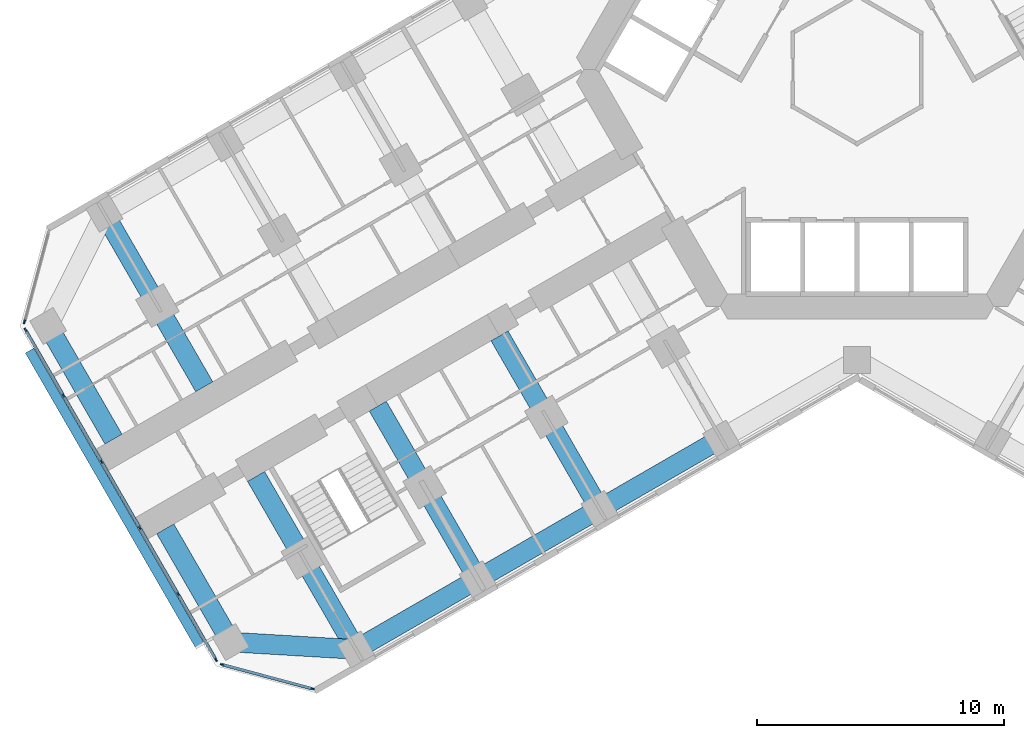
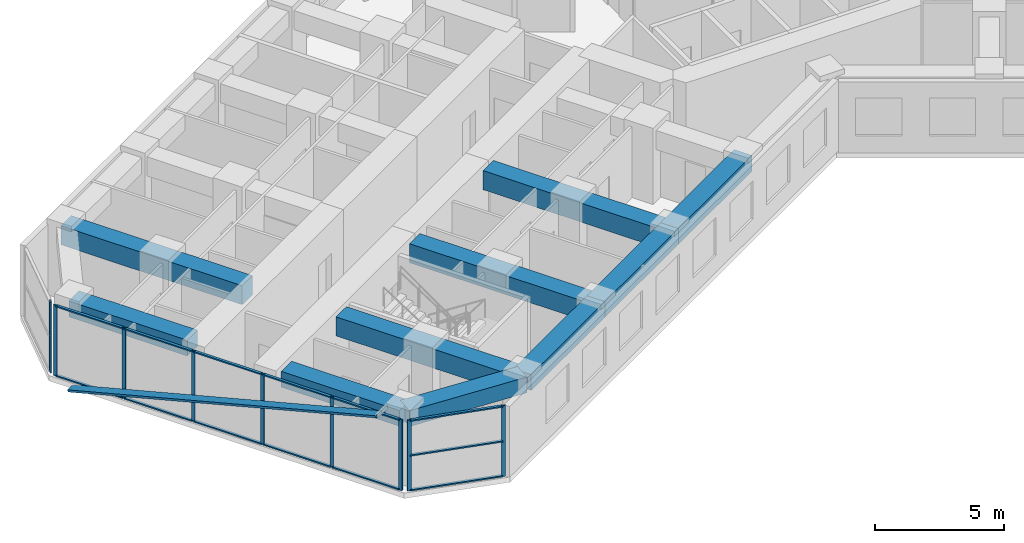
# One storey, part 2 of 21: 23 members, 10 beams, 3 elements without a shape of their own.
"""IFC4 building model written with IfcOpenShell, lengths in metres."""

from ifc_helpers import new_model, si_unit, direction, frame, origin, origin_2d, place, context, subcontext, project, spatial, rectangle, extrude, material, material_profile, profile_set, type_object, element, aggregate, save


model = new_model("IFC4")

# Units and contexts
model_context = context("Model", 3, precision=1e-05, world=origin(), true_north=direction((0.0, 1.0)))
body_context = subcontext(model_context, "Body", "Model", "MODEL_VIEW")
ifc_project = project(units=[si_unit("LENGTHUNIT", "METRE"), si_unit("AREAUNIT", "SQUARE_METRE"), si_unit("VOLUMEUNIT", "CUBIC_METRE"), si_unit("PLANEANGLEUNIT", "RADIAN"), si_unit("MASSUNIT", "GRAM", prefix="KILO")], contexts=[model_context])

# Site, building, storey
site_placement = place(None, origin())
site = spatial("IfcSite", under=ifc_project, at=site_placement, CompositionType="ELEMENT")
building_placement = place(site_placement, origin())
building = spatial("IfcBuilding", under=site, at=building_placement, Name="Kosmar Iwan School Tower", CompositionType="ELEMENT")
storey_placement = place(building_placement, frame((0.0, 0.0, 39.39990234375)))
storey = spatial("IfcBuildingStorey", under=building, at=storey_placement, Name="L08", CompositionType="ELEMENT", Elevation=39.39990234375)

# Member
ifc_material_1 = material(Name="Black anodised aluminium", Category="aluminium")
ifc_material_profile_1 = material_profile(ifc_material_1, rectangle(XDim=0.10009765625, YDim=0.39990234375, at=origin_2d()), Name="FIN 100x400")
ifc_profile_set_1 = profile_set([ifc_material_profile_1], Name="Black anodised aluminium")
member_type_1 = type_object("IfcMemberType", Name="Diagonal fin 100x400", PredefinedType="USERDEFINED", material=ifc_profile_set_1)
member_1_placement = place(storey_placement, frame((-33.54345703125, -11.40087890625, -0.14990234375), z_axis=(0.483793446988, -0.837970316603, 0.25248692866), x_axis=(-0.126241714543, 0.218661104574, 0.96760030532)))
element("IfcMember", 1, at=member_1_placement, inside=storey, type_object=member_type_1, Name="Diagonal fin L08-F13", ObjectType="FIN", PredefinedType="USERDEFINED", context=body_context, shape_type="SweptSolid", body=[
    extrude(rectangle(XDim=0.10009765625, YDim=0.39990234375, at=origin_2d()), origin(), (0.0, 0.0, 1.0), 14.258544921875),
])

# Curtain wall, member
ifc_material_2 = material(Name="Dark glass in black aluminium frame", Category="aluminium")
curtain_wall_type_1 = type_object("IfcCurtainWallType", Name="Chamfer curtain wall dark glass", PredefinedType="USERDEFINED", material=ifc_material_2)
curtain_wall_1_placement = place(storey_placement, origin())
curtain_wall_1 = element("IfcCurtainWall", 2, at=curtain_wall_1_placement, inside=storey, type_object=curtain_wall_type_1, Name="Curtain wall L08-F12", ObjectType="FACETED CURTAIN WALL", PredefinedType="USERDEFINED")
ifc_material_3 = material(Name="Black anodised aluminium", Category="aluminium")
ifc_material_profile_2 = material_profile(ifc_material_3, rectangle(XDim=0.06005859375, YDim=0.159912109375, at=origin_2d()), Name="MULLION 60x160")
ifc_profile_set_2 = profile_set([ifc_material_profile_2], Name="Black anodised aluminium")
member_type_2 = type_object("IfcMemberType", Name="Mullion 60x160", PredefinedType="MULLION", material=ifc_profile_set_2)
member_2_placement = place(storey_placement, frame((-33.7587890625, -10.2236328125, 0.0), z_axis=(0.0, 0.0, 1.0), x_axis=(0.965925875495, -0.258818861462, 0.0)))
member_2 = element("IfcMember", 3, at=member_2_placement, type_object=member_type_2, Name="CW2 mullion 2", PredefinedType="MULLION", context=body_context, shape_type="SweptSolid", body=[
    extrude(rectangle(XDim=0.06005859375, YDim=0.159912109375, at=origin_2d()), origin(), (0.0, 0.0, 1.0), 3.35009765625),
])
aggregate(curtain_wall_1, [member_2])

# Curtain wall, members
ifc_material_4 = material(Name="Dark glass in black aluminium frame", Category="aluminium")
curtain_wall_type_2 = type_object("IfcCurtainWallType", Name="Tower curtain wall dark glass", PredefinedType="USERDEFINED", material=ifc_material_4)
curtain_wall_2_placement = place(storey_placement, origin())
curtain_wall_2 = element("IfcCurtainWall", 4, at=curtain_wall_2_placement, inside=storey, type_object=curtain_wall_type_2, Name="Curtain wall L08-F13", ObjectType="UNITISED CURTAIN WALL", PredefinedType="USERDEFINED")
member_3_placement = place(storey_placement, frame((-33.71533203125, -10.55322265625, 0.0), z_axis=(0.0, 0.0, 1.0), x_axis=(0.866025405329, 0.499999997325, 0.0)))
member_3 = element("IfcMember", 5, at=member_3_placement, type_object=member_type_2, Name="CW1 mullion 1", PredefinedType="MULLION", context=body_context, shape_type="SweptSolid", body=[
    extrude(rectangle(XDim=0.06005859375, YDim=0.159912109375, at=origin_2d()), origin(), (0.0, 0.0, 1.0), 3.35009765625),
])
member_4_placement = place(storey_placement, frame((-32.1806640625, -13.21142578125, 0.0), z_axis=(0.0, 0.0, 1.0), x_axis=(0.866025405329, 0.499999997325, 0.0)))
member_4 = element("IfcMember", 6, at=member_4_placement, type_object=member_type_2, Name="CW1 mullion 2", PredefinedType="MULLION", context=body_context, shape_type="SweptSolid", body=[
    extrude(rectangle(XDim=0.06005859375, YDim=0.159912109375, at=origin_2d()), origin(), (0.0, 0.0, 1.0), 3.35009765625),
])
member_5_placement = place(storey_placement, frame((-30.631103515625, -15.8955078125, 0.0), z_axis=(0.0, 0.0, 1.0), x_axis=(0.866025405329, 0.499999997325, 0.0)))
member_5 = element("IfcMember", 7, at=member_5_placement, type_object=member_type_2, Name="CW1 mullion 3", PredefinedType="MULLION", context=body_context, shape_type="SweptSolid", body=[
    extrude(rectangle(XDim=0.06005859375, YDim=0.159912109375, at=origin_2d()), origin(), (0.0, 0.0, 1.0), 3.35009765625),
])
member_6_placement = place(storey_placement, frame((-29.081298828125, -18.57958984375, 0.0), z_axis=(0.0, 0.0, 1.0), x_axis=(0.866025405329, 0.499999997325, 0.0)))
member_6 = element("IfcMember", 8, at=member_6_placement, type_object=member_type_2, Name="CW1 mullion 4", PredefinedType="MULLION", context=body_context, shape_type="SweptSolid", body=[
    extrude(rectangle(XDim=0.06005859375, YDim=0.159912109375, at=origin_2d()), origin(), (0.0, 0.0, 1.0), 3.35009765625),
])
member_7_placement = place(storey_placement, frame((-27.53173828125, -21.263671875, 0.0), z_axis=(0.0, 0.0, 1.0), x_axis=(0.866025405329, 0.499999997325, 0.0)))
member_7 = element("IfcMember", 9, at=member_7_placement, type_object=member_type_2, Name="CW1 mullion 5", PredefinedType="MULLION", context=body_context, shape_type="SweptSolid", body=[
    extrude(rectangle(XDim=0.06005859375, YDim=0.159912109375, at=origin_2d()), origin(), (0.0, 0.0, 1.0), 3.35009765625),
])
member_8_placement = place(storey_placement, frame((-25.9970703125, -23.921630859375, 0.0), z_axis=(0.0, 0.0, 1.0), x_axis=(0.866025405329, 0.499999997325, 0.0)))
member_8 = element("IfcMember", 10, at=member_8_placement, type_object=member_type_2, Name="CW1 mullion 6", PredefinedType="MULLION", context=body_context, shape_type="SweptSolid", body=[
    extrude(rectangle(XDim=0.06005859375, YDim=0.159912109375, at=origin_2d()), origin(), (0.0, 0.0, 1.0), 3.35009765625),
])

curtain_wall_3_placement = place(storey_placement, origin())
curtain_wall_3 = element("IfcCurtainWall", 11, at=curtain_wall_3_placement, inside=storey, type_object=curtain_wall_type_1, Name="Curtain wall L08-F14", ObjectType="FACETED CURTAIN WALL", PredefinedType="USERDEFINED")
member_9_placement = place(storey_placement, frame((-25.733154296875, -24.124267578125, 0.0), z_axis=(0.0, 0.0, 1.0), x_axis=(0.258818861462, 0.965925875495, 0.0)))
member_9 = element("IfcMember", 12, at=member_9_placement, type_object=member_type_2, Name="CW2 mullion 1", PredefinedType="MULLION", context=body_context, shape_type="SweptSolid", body=[
    extrude(rectangle(XDim=0.06005859375, YDim=0.159912109375, at=origin_2d()), origin(), (0.0, 0.0, 1.0), 3.35009765625),
])
member_10_placement = place(storey_placement, frame((-22.0830078125, -25.102294921875, 0.0), z_axis=(0.0, 0.0, 1.0), x_axis=(0.258818861462, 0.965925875495, 0.0)))
member_10 = element("IfcMember", 13, at=member_10_placement, type_object=member_type_2, Name="CW2 mullion 2", PredefinedType="MULLION", context=body_context, shape_type="SweptSolid", body=[
    extrude(rectangle(XDim=0.06005859375, YDim=0.159912109375, at=origin_2d()), origin(), (0.0, 0.0, 1.0), 3.35009765625),
])

# Beams
ifc_material_5 = material(Name="Concrete C50/60", Category="concrete")
ifc_material_profile_3 = material_profile(ifc_material_5, rectangle(XDim=0.800048828125, YDim=0.75, at=origin_2d()), Name="RC 800x750")
ifc_profile_set_3 = profile_set([ifc_material_profile_3], Name="Concrete C50/60")
beam_type_1 = type_object("IfcBeamType", Name="RC edge beam 800x750", PredefinedType="BEAM", material=ifc_profile_set_3)
beam_1_placement = place(storey_placement, frame((-5.5087890625, -14.95849609375, 2.97509765625), z_axis=(-0.866033658841, -0.49998570155, 0.0), x_axis=(0.49998570155, -0.866033658841, 0.0)))
element("IfcBeam", 14, at=beam_1_placement, inside=storey, type_object=beam_type_1, Name="Edge beam BL2", PredefinedType="BEAM", context=body_context, shape_type="SweptSolid", body=[
    extrude(rectangle(XDim=0.800048828125, YDim=0.75, at=origin_2d()), origin(), (0.0, 0.0, 1.0), 5.699951171875),
])
beam_2_placement = place(storey_placement, frame((-10.445068359375, -17.808349609375, 2.97509765625), z_axis=(-0.866025820012, -0.499999279071, 0.0), x_axis=(0.499999279071, -0.866025820012, 0.0)))
element("IfcBeam", 15, at=beam_2_placement, inside=storey, type_object=beam_type_1, Name="Edge beam BL3", PredefinedType="BEAM", context=body_context, shape_type="SweptSolid", body=[
    extrude(rectangle(XDim=0.800048828125, YDim=0.75, at=origin_2d()), origin(), (0.0, 0.0, 1.0), 5.7001953125),
])
beam_3_placement = place(storey_placement, frame((-15.381591796875, -20.658447265625, 2.97509765625), z_axis=(-0.866015111908, -0.50001782563, 0.0), x_axis=(0.50001782563, -0.866015111908, 0.0)))
element("IfcBeam", 16, at=beam_3_placement, inside=storey, type_object=beam_type_1, Name="Edge beam BL4", PredefinedType="BEAM", context=body_context, shape_type="SweptSolid", body=[
    extrude(rectangle(XDim=0.800048828125, YDim=0.75, at=origin_2d()), origin(), (0.0, 0.0, 1.0), 5.699951171875),
])
ifc_material_6 = material(Name="Concrete C50/60", Category="concrete")
ifc_material_profile_4 = material_profile(ifc_material_6, rectangle(XDim=0.800048828125, YDim=0.75, at=origin_2d()), Name="RC 800x750")
ifc_profile_set_4 = profile_set([ifc_material_profile_4], Name="Concrete C50/60")
beam_type_2 = type_object("IfcBeamType", Name="RC tip beam 800x750", PredefinedType="BEAM", material=ifc_profile_set_4)
beam_4_placement = place(storey_placement, frame((-20.31787109375, -23.508544921875, 2.97509765625), z_axis=(-0.998260616478, 0.058955420358, 0.0), x_axis=(-0.058955420358, -0.998260616478, 0.0)))
element("IfcBeam", 17, at=beam_4_placement, inside=storey, type_object=beam_type_2, Name="Tip beam BL", PredefinedType="BEAM", context=body_context, shape_type="SweptSolid", body=[
    extrude(rectangle(XDim=0.800048828125, YDim=0.75, at=origin_2d()), origin(), (0.0, 0.0, 1.0), 5.08935546875),
])
beam_5_placement = place(storey_placement, frame((-25.3984375, -23.20849609375, 2.97509765625), z_axis=(-0.499993606316, 0.866029095148, 0.0), x_axis=(-0.866029095148, -0.499993606316, 0.0)))
element("IfcBeam", 18, at=beam_5_placement, inside=storey, type_object=beam_type_2, Name="Tip beam BL to corridor wall", PredefinedType="BEAM", context=body_context, shape_type="SweptSolid", body=[
    extrude(rectangle(XDim=0.800048828125, YDim=0.75, at=origin_2d()), origin(), (0.0, 0.0, 1.0), 5.2998046875),
])
beam_6_placement = place(storey_placement, frame((-32.79833984375, -10.391357421875, 2.97509765625), z_axis=(0.499973660256, -0.866040610509, 0.0), x_axis=(0.866040610509, 0.499973660256, 0.0)))
element("IfcBeam", 19, at=beam_6_placement, inside=storey, type_object=beam_type_2, Name="Tip beam BR to corridor wall", PredefinedType="BEAM", context=body_context, shape_type="SweptSolid", body=[
    extrude(rectangle(XDim=0.800048828125, YDim=0.75, at=origin_2d()), origin(), (0.0, 0.0, 1.0), 5.300048828125),
])
ifc_material_7 = material(Name="Concrete C50/60", Category="concrete")
ifc_material_profile_5 = material_profile(ifc_material_7, rectangle(XDim=0.800048828125, YDim=0.89990234375, at=origin_2d()), Name="RC 800x900")
ifc_profile_set_5 = profile_set([ifc_material_profile_5], Name="Concrete C50/60")
beam_type_3 = type_object("IfcBeamType", Name="RC transverse beam 800x900", PredefinedType="BEAM", material=ifc_profile_set_5)
beam_7_placement = place(storey_placement, frame((-10.445068359375, -17.808349609375, 2.900146484375), z_axis=(-0.500012932018, 0.866017937352, 0.0), x_axis=(-0.866017937352, -0.500012932018, 0.0)))
element("IfcBeam", 20, at=beam_7_placement, inside=storey, type_object=beam_type_3, Name="Transverse beam BL2", PredefinedType="BEAM", context=body_context, shape_type="SweptSolid", body=[
    extrude(rectangle(XDim=0.800048828125, YDim=0.89990234375, at=origin_2d()), origin(), (0.0, 0.0, 1.0), 8.099853515625),
])
for number, where, z_axis, x_axis, name in (
    (21, (-15.381591796875, -20.658447265625, 2.900146484375), (-0.499977274689, 0.866038523851, 0.0), (-0.866038523851, -0.499977274689, 0.0), "Transverse beam BL3"),
    (22, (-20.31787109375, -23.508544921875, 2.900146484375), (-0.499999880539, 0.866025472755, 0.0), (-0.866025472755, -0.499999880539, 0.0), "Transverse beam BL4"),
    (23, (-30.517822265625, -5.841552734375, 2.900146484375), (0.499999880539, -0.866025472755, 0.0), (0.866025472755, 0.499999880539, 0.0), "Transverse beam BR4"),
):
    element("IfcBeam", number, at=place(storey_placement, frame(where, z_axis=z_axis, x_axis=x_axis)), inside=storey, type_object=beam_type_3, Name=name, PredefinedType="BEAM", context=body_context, shape_type="SweptSolid", body=[
        extrude(rectangle(XDim=0.800048828125, YDim=0.89990234375, at=origin_2d()), origin(), (0.0, 0.0, 1.0), 8.10009765625),
    ])

# Member
ifc_material_8 = material(Name="Black anodised aluminium", Category="aluminium")
ifc_material_profile_6 = material_profile(ifc_material_8, rectangle(XDim=0.1201171875, YDim=0.06005859375, at=origin_2d()), Name="TRANSOM 60x120")
ifc_profile_set_6 = profile_set([ifc_material_profile_6], Name="Black anodised aluminium")
member_type_3 = type_object("IfcMemberType", Name="Transom 60x120", PredefinedType="USERDEFINED", material=ifc_profile_set_6)
member_11_placement = place(storey_placement, frame((-33.700439453125, -10.579345703125, 0.030029296875), z_axis=(0.500022102064, -0.866012642776, 0.0), x_axis=(0.866012642776, 0.500022102064, 0.0)))
member_11 = element("IfcMember", 24, at=member_11_placement, type_object=member_type_3, Name="CW1 transom 1.1", ObjectType="TRANSOM", PredefinedType="USERDEFINED", context=body_context, shape_type="SweptSolid", body=[
    extrude(rectangle(XDim=0.1201171875, YDim=0.06005859375, at=origin_2d()), origin(), (0.0, 0.0, 1.0), 3.009033203125),
])

member_12_placement = place(storey_placement, frame((-33.700439453125, -10.579345703125, 3.320068359375), z_axis=(0.500022102064, -0.866012642776, 0.0), x_axis=(0.866012642776, 0.500022102064, 0.0)))
member_12 = element("IfcMember", 25, at=member_12_placement, type_object=member_type_3, Name="CW1 transom 1.2", ObjectType="TRANSOM", PredefinedType="USERDEFINED", context=body_context, shape_type="SweptSolid", body=[
    extrude(rectangle(XDim=0.1201171875, YDim=0.06005859375, at=origin_2d()), origin(), (0.0, 0.0, 1.0), 3.009033203125),
])

member_13_placement = place(storey_placement, frame((-32.165771484375, -13.2373046875, 0.030029296875), z_axis=(0.500035348339, -0.866004994449, 0.0), x_axis=(0.866004994449, 0.500035348339, 0.0)))
member_13 = element("IfcMember", 26, at=member_13_placement, type_object=member_type_3, Name="CW1 transom 2.1", ObjectType="TRANSOM", PredefinedType="USERDEFINED", context=body_context, shape_type="SweptSolid", body=[
    extrude(rectangle(XDim=0.1201171875, YDim=0.06005859375, at=origin_2d()), origin(), (0.0, 0.0, 1.0), 3.039306640625),
])

member_14_placement = place(storey_placement, frame((-32.165771484375, -13.2373046875, 3.320068359375), z_axis=(0.500035348339, -0.866004994449, 0.0), x_axis=(0.866004994449, 0.500035348339, 0.0)))
member_14 = element("IfcMember", 27, at=member_14_placement, type_object=member_type_3, Name="CW1 transom 2.2", ObjectType="TRANSOM", PredefinedType="USERDEFINED", context=body_context, shape_type="SweptSolid", body=[
    extrude(rectangle(XDim=0.1201171875, YDim=0.06005859375, at=origin_2d()), origin(), (0.0, 0.0, 1.0), 3.039306640625),
])

member_15_placement = place(storey_placement, frame((-30.615966796875, -15.92138671875, 0.030029296875), z_axis=(0.499975102327, -0.866039777986, 0.0), x_axis=(0.866039777986, 0.499975102327, 0.0)))
member_15 = element("IfcMember", 28, at=member_15_placement, type_object=member_type_3, Name="CW1 transom 3.1", ObjectType="TRANSOM", PredefinedType="USERDEFINED", context=body_context, shape_type="SweptSolid", body=[
    extrude(rectangle(XDim=0.1201171875, YDim=0.06005859375, at=origin_2d()), origin(), (0.0, 0.0, 1.0), 3.039306640625),
])

member_16_placement = place(storey_placement, frame((-30.615966796875, -15.92138671875, 3.320068359375), z_axis=(0.499975102327, -0.866039777986, 0.0), x_axis=(0.866039777986, 0.499975102327, 0.0)))
member_16 = element("IfcMember", 29, at=member_16_placement, type_object=member_type_3, Name="CW1 transom 3.2", ObjectType="TRANSOM", PredefinedType="USERDEFINED", context=body_context, shape_type="SweptSolid", body=[
    extrude(rectangle(XDim=0.1201171875, YDim=0.06005859375, at=origin_2d()), origin(), (0.0, 0.0, 1.0), 3.039306640625),
])

member_17_placement = place(storey_placement, frame((-29.06640625, -18.60546875, 0.030029296875), z_axis=(0.499975102327, -0.866039777986, 0.0), x_axis=(0.866039777986, 0.499975102327, 0.0)))
member_17 = element("IfcMember", 30, at=member_17_placement, type_object=member_type_3, Name="CW1 transom 4.1", ObjectType="TRANSOM", PredefinedType="USERDEFINED", context=body_context, shape_type="SweptSolid", body=[
    extrude(rectangle(XDim=0.1201171875, YDim=0.06005859375, at=origin_2d()), origin(), (0.0, 0.0, 1.0), 3.039306640625),
])

member_18_placement = place(storey_placement, frame((-29.06640625, -18.60546875, 3.320068359375), z_axis=(0.499975102327, -0.866039777986, 0.0), x_axis=(0.866039777986, 0.499975102327, 0.0)))
member_18 = element("IfcMember", 31, at=member_18_placement, type_object=member_type_3, Name="CW1 transom 4.2", ObjectType="TRANSOM", PredefinedType="USERDEFINED", context=body_context, shape_type="SweptSolid", body=[
    extrude(rectangle(XDim=0.1201171875, YDim=0.06005859375, at=origin_2d()), origin(), (0.0, 0.0, 1.0), 3.039306640625),
])

member_19_placement = place(storey_placement, frame((-27.516845703125, -21.28955078125, 0.030029296875), z_axis=(0.499986971506, -0.866032925658, 0.0), x_axis=(0.866032925658, 0.499986971506, 0.0)))
member_19 = element("IfcMember", 32, at=member_19_placement, type_object=member_type_3, Name="CW1 transom 5.1", ObjectType="TRANSOM", PredefinedType="USERDEFINED", context=body_context, shape_type="SweptSolid", body=[
    extrude(rectangle(XDim=0.1201171875, YDim=0.06005859375, at=origin_2d()), origin(), (0.0, 0.0, 1.0), 3.00927734375),
])

member_20_placement = place(storey_placement, frame((-27.516845703125, -21.28955078125, 3.320068359375), z_axis=(0.499986971506, -0.866032925658, 0.0), x_axis=(0.866032925658, 0.499986971506, 0.0)))
member_20 = element("IfcMember", 33, at=member_20_placement, type_object=member_type_3, Name="CW1 transom 5.2", ObjectType="TRANSOM", PredefinedType="USERDEFINED", context=body_context, shape_type="SweptSolid", body=[
    extrude(rectangle(XDim=0.1201171875, YDim=0.06005859375, at=origin_2d()), origin(), (0.0, 0.0, 1.0), 3.00927734375),
])

aggregate(curtain_wall_2, [member_3, member_4, member_5, member_6, member_7, member_8, member_11, member_12, member_13, member_14, member_15, member_16, member_17, member_18, member_19, member_20])

member_21_placement = place(storey_placement, frame((-25.704345703125, -24.1318359375, 0.030029296875), z_axis=(0.965923731726, -0.258826861991, 0.0), x_axis=(0.258826861991, 0.965923731726, 0.0)))
member_21 = element("IfcMember", 34, at=member_21_placement, type_object=member_type_3, Name="CW2 transom 1.1", ObjectType="TRANSOM", PredefinedType="USERDEFINED", context=body_context, shape_type="SweptSolid", body=[
    extrude(rectangle(XDim=0.1201171875, YDim=0.06005859375, at=origin_2d()), origin(), (0.0, 0.0, 1.0), 3.71923828125),
])

member_22_placement = place(storey_placement, frame((-25.704345703125, -24.1318359375, 1.675048828125), z_axis=(0.965923731726, -0.258826861991, 0.0), x_axis=(0.258826861991, 0.965923731726, 0.0)))
member_22 = element("IfcMember", 35, at=member_22_placement, type_object=member_type_3, Name="CW2 transom 1.2", ObjectType="TRANSOM", PredefinedType="USERDEFINED", context=body_context, shape_type="SweptSolid", body=[
    extrude(rectangle(XDim=0.1201171875, YDim=0.06005859375, at=origin_2d()), origin(), (0.0, 0.0, 1.0), 3.71923828125),
])

member_23_placement = place(storey_placement, frame((-25.704345703125, -24.1318359375, 3.320068359375), z_axis=(0.965923731726, -0.258826861991, 0.0), x_axis=(0.258826861991, 0.965923731726, 0.0)))
member_23 = element("IfcMember", 36, at=member_23_placement, type_object=member_type_3, Name="CW2 transom 1.3", ObjectType="TRANSOM", PredefinedType="USERDEFINED", context=body_context, shape_type="SweptSolid", body=[
    extrude(rectangle(XDim=0.1201171875, YDim=0.06005859375, at=origin_2d()), origin(), (0.0, 0.0, 1.0), 3.71923828125),
])

aggregate(curtain_wall_3, [member_9, member_10, member_21, member_22, member_23])

save(model, "model.ifc")
